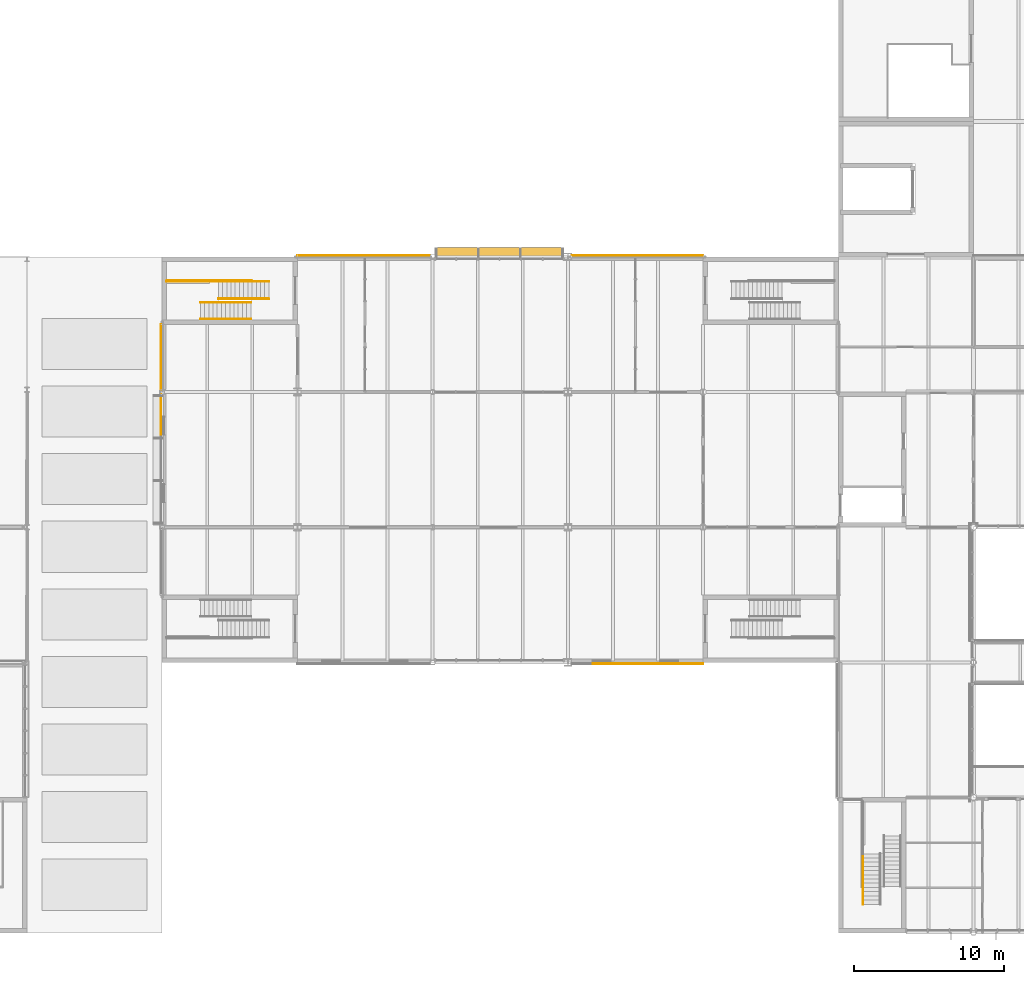
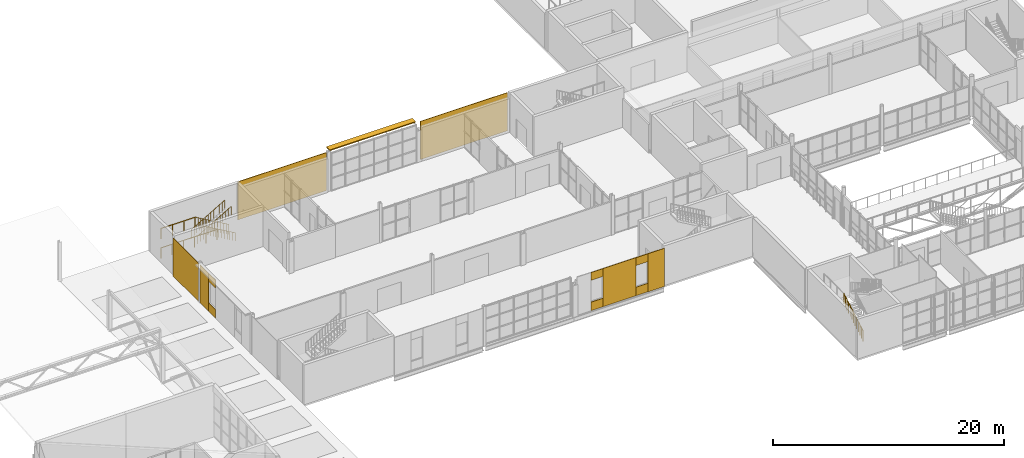
# One storey, part 55 of 61: 12 coverings, 7 railings, 1 shading device.
"""IFC4 building model written with IfcOpenShell, lengths in metres."""

from ifc_helpers import new_model, si_unit, direction, frame, frame_2d, origin, origin_2d, place, context, subcontext, project, spatial, rectangle, circle, extrude, material, layer, layer_set, type_object, element, save


model = new_model("IFC4")

# Units and contexts
model_context = context("Model", 3, precision=1e-05, world=origin(), true_north=direction((0.0, 1.0)))
body_context = subcontext(model_context, "Body", "Model", "MODEL_VIEW")
ifc_project = project(units=[si_unit("LENGTHUNIT", "METRE"), si_unit("AREAUNIT", "SQUARE_METRE"), si_unit("VOLUMEUNIT", "CUBIC_METRE"), si_unit("PLANEANGLEUNIT", "RADIAN"), si_unit("MASSUNIT", "GRAM", prefix="KILO")], contexts=[model_context])

# Site, building, storey
site_placement = place(None, origin())
site = spatial("IfcSite", under=ifc_project, at=site_placement, CompositionType="ELEMENT")
building_placement = place(site_placement, origin())
building = spatial("IfcBuilding", under=site, at=building_placement, Name="Halyard Row Museum", CompositionType="ELEMENT")
storey_placement = place(building_placement, frame((0.0, 0.0, 9.199951171875)))
storey = spatial("IfcBuildingStorey", under=building, at=storey_placement, Name="L02", CompositionType="ELEMENT", Elevation=9.199951171875)

# Railings
ifc_material_1 = material(Name="Steel Grade 300", Category="steel")
railing_type_1 = type_object("IfcRailingType", Name="Guard GR2 steel balustrade 1100", PredefinedType="GUARDRAIL", material=ifc_material_1)
railing_1_placement = place(storey_placement, frame((34.10009765625, 43.35009765625, 0.16162109375)))
element("IfcRailing", 1, at=railing_1_placement, inside=storey, type_object=railing_type_1, Name="Guard GR007", PredefinedType="GUARDRAIL", context=body_context, shape_type="SweptSolid", body=[
    extrude(circle(Radius=0.02392578125, at=origin_2d()), frame((0.0, 0.0, 1.076171875), z_axis=(-0.86609757561, 0.0, 0.499874973892), x_axis=(0.0, -1.0, 0.0)), (0.0, 0.0, 1.0), 0.3232421875),
    extrude(circle(Radius=0.02392578125, at=origin_2d()), frame((-0.280029296875, 0.0, 1.23779296875), z_axis=(-0.866424426198, 0.0, 0.49930823515), x_axis=(0.0, -1.0, 0.0)), (0.0, 0.0, 1.0), 0.3232421875),
    extrude(circle(Radius=0.02392578125, at=origin_2d()), frame((-0.56005859375, 0.0, 1.39892578125), z_axis=(-0.86609757561, 0.0, 0.499874973892), x_axis=(0.0, -1.0, 0.0)), (0.0, 0.0, 1.0), 0.3232421875),
    extrude(circle(Radius=0.02392578125, at=origin_2d()), frame((-0.840087890625, 0.0, 1.560546875), z_axis=(-0.86609757561, 0.0, 0.499874973892), x_axis=(0.0, -1.0, 0.0)), (0.0, 0.0, 1.0), 0.3232421875),
    extrude(circle(Radius=0.02392578125, at=origin_2d()), frame((-1.1201171875, 0.0, 1.72216796875), z_axis=(-0.866424426198, 0.0, 0.49930823515), x_axis=(0.0, -1.0, 0.0)), (0.0, 0.0, 1.0), 0.3232421875),
    extrude(circle(Radius=0.02392578125, at=origin_2d()), frame((-1.400146484375, 0.0, 1.8837890625), z_axis=(-0.86609757561, 0.0, 0.499874973892), x_axis=(0.0, -1.0, 0.0)), (0.0, 0.0, 1.0), 0.3232421875),
    extrude(circle(Radius=0.02392578125, at=origin_2d()), frame((-1.68017578125, 0.0, 2.04541015625), z_axis=(-0.866424426198, 0.0, 0.49930823515), x_axis=(0.0, -1.0, 0.0)), (0.0, 0.0, 1.0), 0.3232421875),
    extrude(circle(Radius=0.02392578125, at=origin_2d()), frame((-1.960205078125, 0.0, 2.20654296875), z_axis=(-0.865908710228, 0.0, 0.500202064721), x_axis=(0.0, -1.0, 0.0)), (0.0, 0.0, 1.0), 0.322998046875),
    extrude(circle(Radius=0.02392578125, at=origin_2d()), frame((-2.239990234375, 0.0, 2.3681640625), z_axis=(-0.86609757561, 0.0, 0.499874973892), x_axis=(0.0, -1.0, 0.0)), (0.0, 0.0, 1.0), 0.3232421875),
    extrude(circle(Radius=0.02392578125, at=origin_2d()), frame((-2.52001953125, 0.0, 2.52978515625), z_axis=(-0.866424426198, 0.0, 0.49930823515), x_axis=(0.0, -1.0, 0.0)), (0.0, 0.0, 1.0), 0.3232421875),
    extrude(circle(Radius=0.02392578125, at=origin_2d()), frame((-2.800048828125, 0.0, 2.69140625), z_axis=(-0.86609757561, 0.0, 0.499874973892), x_axis=(0.0, -1.0, 0.0)), (0.0, 0.0, 1.0), 0.3232421875),
    extrude(circle(Radius=0.02392578125, at=origin_2d()), frame((-3.080078125, 0.0, 2.85302734375), z_axis=(-0.86609757561, 0.0, 0.499874973892), x_axis=(0.0, -1.0, 0.0)), (0.0, 0.0, 1.0), 0.3232421875),
    extrude(circle(Radius=0.02099609375, at=origin_2d()), origin(), (0.0, 0.0, 1.0), 1.052001953125),
    extrude(circle(Radius=0.02099609375, at=origin_2d()), frame((-0.280029296875, 0.0, 0.16162109375)), (0.0, 0.0, 1.0), 1.052001953125),
    extrude(circle(Radius=0.02099609375, at=origin_2d()), frame((-0.56005859375, 0.0, 0.322998046875)), (0.0, 0.0, 1.0), 1.052001953125),
    extrude(circle(Radius=0.02099609375, at=origin_2d()), frame((-0.840087890625, 0.0, 0.484619140625)), (0.0, 0.0, 1.0), 1.052001953125),
    extrude(circle(Radius=0.02099609375, at=origin_2d()), frame((-1.1201171875, 0.0, 0.646240234375)), (0.0, 0.0, 1.0), 1.052001953125),
    extrude(circle(Radius=0.02099609375, at=origin_2d()), frame((-1.400146484375, 0.0, 0.8076171875)), (0.0, 0.0, 1.0), 1.052001953125),
    extrude(circle(Radius=0.02099609375, at=origin_2d()), frame((-1.68017578125, 0.0, 0.96923828125)), (0.0, 0.0, 1.0), 1.052001953125),
    extrude(circle(Radius=0.02099609375, at=origin_2d()), frame((-1.960205078125, 0.0, 1.130615234375)), (0.0, 0.0, 1.0), 1.052001953125),
    extrude(circle(Radius=0.02099609375, at=origin_2d()), frame((-2.239990234375, 0.0, 1.292236328125)), (0.0, 0.0, 1.0), 1.052001953125),
    extrude(circle(Radius=0.02099609375, at=origin_2d()), frame((-2.52001953125, 0.0, 1.453857421875)), (0.0, 0.0, 1.0), 1.052001953125),
    extrude(circle(Radius=0.02099609375, at=origin_2d()), frame((-2.800048828125, 0.0, 1.615234375)), (0.0, 0.0, 1.0), 1.052001953125),
    extrude(circle(Radius=0.02099609375, at=origin_2d()), frame((-3.080078125, 0.0, 1.77685546875)), (0.0, 0.0, 1.0), 1.052001953125),
    extrude(circle(Radius=0.02099609375, at=origin_2d()), frame((-3.360107421875, 0.0, 1.9384765625)), (0.0, 0.0, 1.0), 1.052001953125),
])
railing_2_placement = place(storey_placement, frame((30.739990234375, 43.35009765625, 2.10009765625)))
element("IfcRailing", 2, at=railing_2_placement, inside=storey, type_object=railing_type_1, Name="Guard GR008", PredefinedType="GUARDRAIL", context=body_context, shape_type="SweptSolid", body=[
    extrude(circle(Radius=0.02392578125, at=origin_2d()), frame((0.0, 0.0, 1.076171875), z_axis=(-1.0, 0.0, 0.0), x_axis=(0.0, -1.0, 0.0)), (0.0, 0.0, 1.0), 3.43994140625),
    extrude(circle(Radius=0.02099609375, at=origin_2d()), origin(), (0.0, 0.0, 1.0), 1.052001953125),
    extrude(circle(Radius=0.02099609375, at=origin_2d()), frame((-1.146728515625, 0.0, 0.0)), (0.0, 0.0, 1.0), 1.052001953125),
    extrude(circle(Radius=0.02099609375, at=origin_2d()), frame((-2.293212890625, 0.0, 0.0)), (0.0, 0.0, 1.0), 1.052001953125),
    extrude(circle(Radius=0.02099609375, at=origin_2d()), frame((-3.43994140625, 0.0, 0.0)), (0.0, 0.0, 1.0), 1.052001953125),
])
railing_3_placement = place(storey_placement, frame((73.64990234375, 1.89990234375, 0.16162109375)))
element("IfcRailing", 3, at=railing_3_placement, inside=storey, type_object=railing_type_1, Name="Guard GR043", PredefinedType="GUARDRAIL", context=body_context, shape_type="SweptSolid", body=[
    extrude(circle(Radius=0.02392578125, at=origin_2d()), frame((0.0, 0.0, 1.076171875), z_axis=(0.0, 0.86609757561, 0.499874973892), x_axis=(-1.0, 0.0, 0.0)), (0.0, 0.0, 1.0), 0.3232421875),
    extrude(circle(Radius=0.02392578125, at=origin_2d()), frame((0.0, 0.280029296875, 1.23779296875), z_axis=(0.0, 0.866424426198, 0.49930823515), x_axis=(-1.0, 0.0, 0.0)), (0.0, 0.0, 1.0), 0.3232421875),
    extrude(circle(Radius=0.02392578125, at=origin_2d()), frame((0.0, 0.56005859375, 1.39892578125), z_axis=(0.0, 0.86609757561, 0.499874973892), x_axis=(-1.0, 0.0, 0.0)), (0.0, 0.0, 1.0), 0.3232421875),
    extrude(circle(Radius=0.02392578125, at=origin_2d()), frame((0.0, 0.840087890625, 1.560546875), z_axis=(0.0, 0.86609757561, 0.499874973892), x_axis=(-1.0, 0.0, 0.0)), (0.0, 0.0, 1.0), 0.3232421875),
    extrude(circle(Radius=0.02392578125, at=origin_2d()), frame((0.0, 1.1201171875, 1.72216796875), z_axis=(0.0, 0.866424426198, 0.49930823515), x_axis=(-1.0, 0.0, 0.0)), (0.0, 0.0, 1.0), 0.3232421875),
    extrude(circle(Radius=0.02392578125, at=origin_2d()), frame((0.0, 1.400146484375, 1.8837890625), z_axis=(0.0, 0.86609757561, 0.499874973892), x_axis=(-1.0, 0.0, 0.0)), (0.0, 0.0, 1.0), 0.3232421875),
    extrude(circle(Radius=0.02392578125, at=origin_2d()), frame((0.0, 1.68017578125, 2.04541015625), z_axis=(0.0, 0.866424426198, 0.49930823515), x_axis=(-1.0, 0.0, 0.0)), (0.0, 0.0, 1.0), 0.3232421875),
    extrude(circle(Radius=0.02392578125, at=origin_2d()), frame((0.0, 1.960205078125, 2.20654296875), z_axis=(0.0, 0.865908710228, 0.500202064721), x_axis=(-1.0, 0.0, 0.0)), (0.0, 0.0, 1.0), 0.322998046875),
    extrude(circle(Radius=0.02392578125, at=origin_2d()), frame((0.0, 2.239990234375, 2.3681640625), z_axis=(0.0, 0.86609757561, 0.499874973892), x_axis=(-1.0, 0.0, 0.0)), (0.0, 0.0, 1.0), 0.3232421875),
    extrude(circle(Radius=0.02392578125, at=origin_2d()), frame((0.0, 2.52001953125, 2.52978515625), z_axis=(0.0, 0.866424426198, 0.49930823515), x_axis=(-1.0, 0.0, 0.0)), (0.0, 0.0, 1.0), 0.3232421875),
    extrude(circle(Radius=0.02392578125, at=origin_2d()), frame((0.0, 2.800048828125, 2.69140625), z_axis=(0.0, 0.86609757561, 0.499874973892), x_axis=(-1.0, 0.0, 0.0)), (0.0, 0.0, 1.0), 0.3232421875),
    extrude(circle(Radius=0.02392578125, at=origin_2d()), frame((0.0, 3.080078125, 2.85302734375), z_axis=(0.0, 0.86609757561, 0.499874973892), x_axis=(-1.0, 0.0, 0.0)), (0.0, 0.0, 1.0), 0.3232421875),
    extrude(circle(Radius=0.02099609375, at=origin_2d()), origin(), (0.0, 0.0, 1.0), 1.052001953125),
    extrude(circle(Radius=0.02099609375, at=origin_2d()), frame((0.0, 0.280029296875, 0.16162109375)), (0.0, 0.0, 1.0), 1.052001953125),
    extrude(circle(Radius=0.02099609375, at=origin_2d()), frame((0.0, 0.56005859375, 0.322998046875)), (0.0, 0.0, 1.0), 1.052001953125),
    extrude(circle(Radius=0.02099609375, at=origin_2d()), frame((0.0, 0.840087890625, 0.484619140625)), (0.0, 0.0, 1.0), 1.052001953125),
    extrude(circle(Radius=0.02099609375, at=origin_2d()), frame((0.0, 1.1201171875, 0.646240234375)), (0.0, 0.0, 1.0), 1.052001953125),
    extrude(circle(Radius=0.02099609375, at=origin_2d()), frame((0.0, 1.400146484375, 0.8076171875)), (0.0, 0.0, 1.0), 1.052001953125),
    extrude(circle(Radius=0.02099609375, at=origin_2d()), frame((0.0, 1.68017578125, 0.96923828125)), (0.0, 0.0, 1.0), 1.052001953125),
    extrude(circle(Radius=0.02099609375, at=origin_2d()), frame((0.0, 1.960205078125, 1.130615234375)), (0.0, 0.0, 1.0), 1.052001953125),
    extrude(circle(Radius=0.02099609375, at=origin_2d()), frame((0.0, 2.239990234375, 1.292236328125)), (0.0, 0.0, 1.0), 1.052001953125),
    extrude(circle(Radius=0.02099609375, at=origin_2d()), frame((0.0, 2.52001953125, 1.453857421875)), (0.0, 0.0, 1.0), 1.052001953125),
    extrude(circle(Radius=0.02099609375, at=origin_2d()), frame((0.0, 2.800048828125, 1.615234375)), (0.0, 0.0, 1.0), 1.052001953125),
    extrude(circle(Radius=0.02099609375, at=origin_2d()), frame((0.0, 3.080078125, 1.77685546875)), (0.0, 0.0, 1.0), 1.052001953125),
    extrude(circle(Radius=0.02099609375, at=origin_2d()), frame((0.0, 3.360107421875, 1.9384765625)), (0.0, 0.0, 1.0), 1.052001953125),
])
railing_4_placement = place(storey_placement, frame((27.330078125, 43.409912109375, 0.0)))
element("IfcRailing", 4, at=railing_4_placement, inside=storey, type_object=railing_type_1, Name="Guard GR139", PredefinedType="GUARDRAIL", context=body_context, shape_type="SweptSolid", body=[
    extrude(circle(Radius=0.02392578125, at=origin_2d()), frame((0.0, 0.0, 1.076171875), z_axis=(1.0, 0.0, 0.0), x_axis=(0.0, 1.0, 0.0)), (0.0, 0.0, 1.0), 5.6298828125),
    extrude(circle(Radius=0.02099609375, at=origin_2d()), origin(), (0.0, 0.0, 1.0), 1.052001953125),
    extrude(circle(Radius=0.02099609375, at=origin_2d()), frame((1.1259765625, 0.0, 0.0)), (0.0, 0.0, 1.0), 1.052001953125),
    extrude(circle(Radius=0.02099609375, at=origin_2d()), frame((2.251953125, 0.0, 0.0)), (0.0, 0.0, 1.0), 1.052001953125),
    extrude(circle(Radius=0.02099609375, at=origin_2d()), frame((3.3779296875, 0.0, 0.0)), (0.0, 0.0, 1.0), 1.052001953125),
    extrude(circle(Radius=0.02099609375, at=origin_2d()), frame((4.50390625, 0.0, 0.0)), (0.0, 0.0, 1.0), 1.052001953125),
    extrude(circle(Radius=0.02099609375, at=origin_2d()), frame((5.6298828125, 0.0, 0.0)), (0.0, 0.0, 1.0), 1.052001953125),
])
ifc_material_2 = material(Name="Steel Grade 300", Category="steel")
railing_type_2 = type_object("IfcRailingType", Name="Handrail HR2 steel 900", PredefinedType="HANDRAIL", material=ifc_material_2)
railing_5_placement = place(storey_placement, frame((34.10009765625, 42.199951171875, 0.16162109375)))
element("IfcRailing", 5, at=railing_5_placement, inside=storey, type_object=railing_type_2, Name="Handrail HR010", PredefinedType="HANDRAIL", context=body_context, shape_type="SweptSolid", body=[
    extrude(circle(Radius=0.02392578125, at=origin_2d()), frame((0.0, 0.0, 0.8759765625), z_axis=(-0.86609757561, 0.0, 0.499874973892), x_axis=(0.0, -1.0, 0.0)), (0.0, 0.0, 1.0), 0.3232421875),
    extrude(circle(Radius=0.02392578125, at=origin_2d()), frame((-0.280029296875, 0.0, 1.03759765625), z_axis=(-0.866424426198, 0.0, 0.49930823515), x_axis=(0.0, -1.0, 0.0)), (0.0, 0.0, 1.0), 0.3232421875),
    extrude(circle(Radius=0.02392578125, at=origin_2d()), frame((-0.56005859375, 0.0, 1.19873046875), z_axis=(-0.86609757561, 0.0, 0.499874973892), x_axis=(0.0, -1.0, 0.0)), (0.0, 0.0, 1.0), 0.3232421875),
    extrude(circle(Radius=0.02392578125, at=origin_2d()), frame((-0.840087890625, 0.0, 1.3603515625), z_axis=(-0.86609757561, 0.0, 0.499874973892), x_axis=(0.0, -1.0, 0.0)), (0.0, 0.0, 1.0), 0.3232421875),
    extrude(circle(Radius=0.02392578125, at=origin_2d()), frame((-1.1201171875, 0.0, 1.52197265625), z_axis=(-0.866424426198, 0.0, 0.49930823515), x_axis=(0.0, -1.0, 0.0)), (0.0, 0.0, 1.0), 0.3232421875),
    extrude(circle(Radius=0.02392578125, at=origin_2d()), frame((-1.400146484375, 0.0, 1.68359375), z_axis=(-0.86609757561, 0.0, 0.499874973892), x_axis=(0.0, -1.0, 0.0)), (0.0, 0.0, 1.0), 0.3232421875),
    extrude(circle(Radius=0.02392578125, at=origin_2d()), frame((-1.68017578125, 0.0, 1.84521484375), z_axis=(-0.866424426198, 0.0, 0.49930823515), x_axis=(0.0, -1.0, 0.0)), (0.0, 0.0, 1.0), 0.3232421875),
    extrude(circle(Radius=0.02392578125, at=origin_2d()), frame((-1.960205078125, 0.0, 2.00634765625), z_axis=(-0.865908710228, 0.0, 0.500202064721), x_axis=(0.0, -1.0, 0.0)), (0.0, 0.0, 1.0), 0.322998046875),
    extrude(circle(Radius=0.02392578125, at=origin_2d()), frame((-2.239990234375, 0.0, 2.16796875), z_axis=(-0.86609757561, 0.0, 0.499874973892), x_axis=(0.0, -1.0, 0.0)), (0.0, 0.0, 1.0), 0.3232421875),
    extrude(circle(Radius=0.02392578125, at=origin_2d()), frame((-2.52001953125, 0.0, 2.32958984375), z_axis=(-0.866424426198, 0.0, 0.49930823515), x_axis=(0.0, -1.0, 0.0)), (0.0, 0.0, 1.0), 0.3232421875),
    extrude(circle(Radius=0.02392578125, at=origin_2d()), frame((-2.800048828125, 0.0, 2.4912109375), z_axis=(-0.86609757561, 0.0, 0.499874973892), x_axis=(0.0, -1.0, 0.0)), (0.0, 0.0, 1.0), 0.3232421875),
    extrude(circle(Radius=0.02392578125, at=origin_2d()), frame((-3.080078125, 0.0, 2.65283203125), z_axis=(-0.86609757561, 0.0, 0.499874973892), x_axis=(0.0, -1.0, 0.0)), (0.0, 0.0, 1.0), 0.3232421875),
    extrude(circle(Radius=0.02099609375, at=origin_2d()), origin(), (0.0, 0.0, 1.0), 0.851806640625),
    extrude(circle(Radius=0.02099609375, at=origin_2d()), frame((-0.280029296875, 0.0, 0.16162109375)), (0.0, 0.0, 1.0), 0.851806640625),
    extrude(circle(Radius=0.02099609375, at=origin_2d()), frame((-0.56005859375, 0.0, 0.322998046875)), (0.0, 0.0, 1.0), 0.851806640625),
    extrude(circle(Radius=0.02099609375, at=origin_2d()), frame((-0.840087890625, 0.0, 0.484619140625)), (0.0, 0.0, 1.0), 0.851806640625),
    extrude(circle(Radius=0.02099609375, at=origin_2d()), frame((-1.1201171875, 0.0, 0.646240234375)), (0.0, 0.0, 1.0), 0.851806640625),
    extrude(circle(Radius=0.02099609375, at=origin_2d()), frame((-1.400146484375, 0.0, 0.8076171875)), (0.0, 0.0, 1.0), 0.851806640625),
    extrude(circle(Radius=0.02099609375, at=origin_2d()), frame((-1.68017578125, 0.0, 0.96923828125)), (0.0, 0.0, 1.0), 0.851806640625),
    extrude(circle(Radius=0.02099609375, at=origin_2d()), frame((-1.960205078125, 0.0, 1.130615234375)), (0.0, 0.0, 1.0), 0.851806640625),
    extrude(circle(Radius=0.02099609375, at=origin_2d()), frame((-2.239990234375, 0.0, 1.292236328125)), (0.0, 0.0, 1.0), 0.851806640625),
    extrude(circle(Radius=0.02099609375, at=origin_2d()), frame((-2.52001953125, 0.0, 1.453857421875)), (0.0, 0.0, 1.0), 0.851806640625),
    extrude(circle(Radius=0.02099609375, at=origin_2d()), frame((-2.800048828125, 0.0, 1.615234375)), (0.0, 0.0, 1.0), 0.851806640625),
    extrude(circle(Radius=0.02099609375, at=origin_2d()), frame((-3.080078125, 0.0, 1.77685546875)), (0.0, 0.0, 1.0), 0.851806640625),
    extrude(circle(Radius=0.02099609375, at=origin_2d()), frame((-3.360107421875, 0.0, 1.9384765625)), (0.0, 0.0, 1.0), 0.851806640625),
])
railing_6_placement = place(storey_placement, frame((29.5400390625, 40.85009765625, 2.261474609375)))
element("IfcRailing", 6, at=railing_6_placement, inside=storey, type_object=railing_type_2, Name="Handrail HR011", PredefinedType="HANDRAIL", context=body_context, shape_type="SweptSolid", body=[
    extrude(circle(Radius=0.02392578125, at=origin_2d()), frame((0.0, 0.0, 0.8759765625), z_axis=(0.86609757561, 0.0, 0.499874973892), x_axis=(0.0, 1.0, 0.0)), (0.0, 0.0, 1.0), 0.3232421875),
    extrude(circle(Radius=0.02392578125, at=origin_2d()), frame((0.280029296875, 0.0, 1.03759765625), z_axis=(0.86609757561, 0.0, 0.499874973892), x_axis=(0.0, 1.0, 0.0)), (0.0, 0.0, 1.0), 0.3232421875),
    extrude(circle(Radius=0.02392578125, at=origin_2d()), frame((0.56005859375, 0.0, 1.19921875), z_axis=(0.866235917577, 0.0, 0.499635202023), x_axis=(0.0, 1.0, 0.0)), (0.0, 0.0, 1.0), 0.322998046875),
    extrude(circle(Radius=0.02392578125, at=origin_2d()), frame((0.83984375, 0.0, 1.3603515625), z_axis=(0.86609757561, 0.0, 0.499874973892), x_axis=(0.0, 1.0, 0.0)), (0.0, 0.0, 1.0), 0.3232421875),
    extrude(circle(Radius=0.02392578125, at=origin_2d()), frame((1.119873046875, 0.0, 1.52197265625), z_axis=(0.86609757561, 0.0, 0.499874973892), x_axis=(0.0, 1.0, 0.0)), (0.0, 0.0, 1.0), 0.3232421875),
    extrude(circle(Radius=0.02392578125, at=origin_2d()), frame((1.39990234375, 0.0, 1.68359375), z_axis=(0.866424426198, 0.0, 0.49930823515), x_axis=(0.0, 1.0, 0.0)), (0.0, 0.0, 1.0), 0.3232421875),
    extrude(circle(Radius=0.02392578125, at=origin_2d()), frame((1.679931640625, 0.0, 1.84521484375), z_axis=(0.86609757561, 0.0, 0.499874973892), x_axis=(0.0, 1.0, 0.0)), (0.0, 0.0, 1.0), 0.3232421875),
    extrude(circle(Radius=0.02392578125, at=origin_2d()), frame((1.9599609375, 0.0, 2.0068359375), z_axis=(0.86609757561, 0.0, 0.499874973892), x_axis=(0.0, 1.0, 0.0)), (0.0, 0.0, 1.0), 0.3232421875),
    extrude(circle(Radius=0.02392578125, at=origin_2d()), frame((2.239990234375, 0.0, 2.16845703125), z_axis=(0.866424426198, 0.0, 0.49930823515), x_axis=(0.0, 1.0, 0.0)), (0.0, 0.0, 1.0), 0.3232421875),
    extrude(circle(Radius=0.02392578125, at=origin_2d()), frame((2.52001953125, 0.0, 2.32958984375), z_axis=(0.86609757561, 0.0, 0.499874973892), x_axis=(0.0, 1.0, 0.0)), (0.0, 0.0, 1.0), 0.3232421875),
    extrude(circle(Radius=0.02392578125, at=origin_2d()), frame((2.800048828125, 0.0, 2.4912109375), z_axis=(0.86609757561, 0.0, 0.499874973892), x_axis=(0.0, 1.0, 0.0)), (0.0, 0.0, 1.0), 0.3232421875),
    extrude(circle(Radius=0.02392578125, at=origin_2d()), frame((3.080078125, 0.0, 2.65283203125), z_axis=(0.866235917577, 0.0, 0.499635202023), x_axis=(0.0, 1.0, 0.0)), (0.0, 0.0, 1.0), 0.322998046875),
    extrude(circle(Radius=0.02099609375, at=origin_2d()), origin(), (0.0, 0.0, 1.0), 0.851806640625),
    extrude(circle(Radius=0.02099609375, at=origin_2d()), frame((0.280029296875, 0.0, 0.16162109375)), (0.0, 0.0, 1.0), 0.851806640625),
    extrude(circle(Radius=0.02099609375, at=origin_2d()), frame((0.56005859375, 0.0, 0.3232421875)), (0.0, 0.0, 1.0), 0.851806640625),
    extrude(circle(Radius=0.02099609375, at=origin_2d()), frame((0.83984375, 0.0, 0.484619140625)), (0.0, 0.0, 1.0), 0.851806640625),
    extrude(circle(Radius=0.02099609375, at=origin_2d()), frame((1.119873046875, 0.0, 0.646240234375)), (0.0, 0.0, 1.0), 0.851806640625),
    extrude(circle(Radius=0.02099609375, at=origin_2d()), frame((1.39990234375, 0.0, 0.807861328125)), (0.0, 0.0, 1.0), 0.851806640625),
    extrude(circle(Radius=0.02099609375, at=origin_2d()), frame((1.679931640625, 0.0, 0.96923828125)), (0.0, 0.0, 1.0), 0.851806640625),
    extrude(circle(Radius=0.02099609375, at=origin_2d()), frame((1.9599609375, 0.0, 1.130859375)), (0.0, 0.0, 1.0), 0.851806640625),
    extrude(circle(Radius=0.02099609375, at=origin_2d()), frame((2.239990234375, 0.0, 1.29248046875)), (0.0, 0.0, 1.0), 0.851806640625),
    extrude(circle(Radius=0.02099609375, at=origin_2d()), frame((2.52001953125, 0.0, 1.453857421875)), (0.0, 0.0, 1.0), 0.851806640625),
    extrude(circle(Radius=0.02099609375, at=origin_2d()), frame((2.800048828125, 0.0, 1.615478515625)), (0.0, 0.0, 1.0), 0.851806640625),
    extrude(circle(Radius=0.02099609375, at=origin_2d()), frame((3.080078125, 0.0, 1.777099609375)), (0.0, 0.0, 1.0), 0.851806640625),
    extrude(circle(Radius=0.02099609375, at=origin_2d()), frame((3.35986328125, 0.0, 1.9384765625)), (0.0, 0.0, 1.0), 0.851806640625),
])
railing_7_placement = place(storey_placement, frame((29.5400390625, 41.949951171875, 2.261474609375)))
element("IfcRailing", 7, at=railing_7_placement, inside=storey, type_object=railing_type_2, Name="Handrail HR012", PredefinedType="HANDRAIL", context=body_context, shape_type="SweptSolid", body=[
    extrude(circle(Radius=0.02392578125, at=origin_2d()), frame((0.0, 0.0, 0.8759765625), z_axis=(0.86609757561, 0.0, 0.499874973892), x_axis=(0.0, 1.0, 0.0)), (0.0, 0.0, 1.0), 0.3232421875),
    extrude(circle(Radius=0.02392578125, at=origin_2d()), frame((0.280029296875, 0.0, 1.03759765625), z_axis=(0.86609757561, 0.0, 0.499874973892), x_axis=(0.0, 1.0, 0.0)), (0.0, 0.0, 1.0), 0.3232421875),
    extrude(circle(Radius=0.02392578125, at=origin_2d()), frame((0.56005859375, 0.0, 1.19921875), z_axis=(0.866235917577, 0.0, 0.499635202023), x_axis=(0.0, 1.0, 0.0)), (0.0, 0.0, 1.0), 0.322998046875),
    extrude(circle(Radius=0.02392578125, at=origin_2d()), frame((0.83984375, 0.0, 1.3603515625), z_axis=(0.86609757561, 0.0, 0.499874973892), x_axis=(0.0, 1.0, 0.0)), (0.0, 0.0, 1.0), 0.3232421875),
    extrude(circle(Radius=0.02392578125, at=origin_2d()), frame((1.119873046875, 0.0, 1.52197265625), z_axis=(0.86609757561, 0.0, 0.499874973892), x_axis=(0.0, 1.0, 0.0)), (0.0, 0.0, 1.0), 0.3232421875),
    extrude(circle(Radius=0.02392578125, at=origin_2d()), frame((1.39990234375, 0.0, 1.68359375), z_axis=(0.866424426198, 0.0, 0.49930823515), x_axis=(0.0, 1.0, 0.0)), (0.0, 0.0, 1.0), 0.3232421875),
    extrude(circle(Radius=0.02392578125, at=origin_2d()), frame((1.679931640625, 0.0, 1.84521484375), z_axis=(0.86609757561, 0.0, 0.499874973892), x_axis=(0.0, 1.0, 0.0)), (0.0, 0.0, 1.0), 0.3232421875),
    extrude(circle(Radius=0.02392578125, at=origin_2d()), frame((1.9599609375, 0.0, 2.0068359375), z_axis=(0.86609757561, 0.0, 0.499874973892), x_axis=(0.0, 1.0, 0.0)), (0.0, 0.0, 1.0), 0.3232421875),
    extrude(circle(Radius=0.02392578125, at=origin_2d()), frame((2.239990234375, 0.0, 2.16845703125), z_axis=(0.866424426198, 0.0, 0.49930823515), x_axis=(0.0, 1.0, 0.0)), (0.0, 0.0, 1.0), 0.3232421875),
    extrude(circle(Radius=0.02392578125, at=origin_2d()), frame((2.52001953125, 0.0, 2.32958984375), z_axis=(0.86609757561, 0.0, 0.499874973892), x_axis=(0.0, 1.0, 0.0)), (0.0, 0.0, 1.0), 0.3232421875),
    extrude(circle(Radius=0.02392578125, at=origin_2d()), frame((2.800048828125, 0.0, 2.4912109375), z_axis=(0.86609757561, 0.0, 0.499874973892), x_axis=(0.0, 1.0, 0.0)), (0.0, 0.0, 1.0), 0.3232421875),
    extrude(circle(Radius=0.02392578125, at=origin_2d()), frame((3.080078125, 0.0, 2.65283203125), z_axis=(0.866235917577, 0.0, 0.499635202023), x_axis=(0.0, 1.0, 0.0)), (0.0, 0.0, 1.0), 0.322998046875),
    extrude(circle(Radius=0.02099609375, at=origin_2d()), origin(), (0.0, 0.0, 1.0), 0.851806640625),
    extrude(circle(Radius=0.02099609375, at=origin_2d()), frame((0.280029296875, 0.0, 0.16162109375)), (0.0, 0.0, 1.0), 0.851806640625),
    extrude(circle(Radius=0.02099609375, at=origin_2d()), frame((0.56005859375, 0.0, 0.3232421875)), (0.0, 0.0, 1.0), 0.851806640625),
    extrude(circle(Radius=0.02099609375, at=origin_2d()), frame((0.83984375, 0.0, 0.484619140625)), (0.0, 0.0, 1.0), 0.851806640625),
    extrude(circle(Radius=0.02099609375, at=origin_2d()), frame((1.119873046875, 0.0, 0.646240234375)), (0.0, 0.0, 1.0), 0.851806640625),
    extrude(circle(Radius=0.02099609375, at=origin_2d()), frame((1.39990234375, 0.0, 0.807861328125)), (0.0, 0.0, 1.0), 0.851806640625),
    extrude(circle(Radius=0.02099609375, at=origin_2d()), frame((1.679931640625, 0.0, 0.96923828125)), (0.0, 0.0, 1.0), 0.851806640625),
    extrude(circle(Radius=0.02099609375, at=origin_2d()), frame((1.9599609375, 0.0, 1.130859375)), (0.0, 0.0, 1.0), 0.851806640625),
    extrude(circle(Radius=0.02099609375, at=origin_2d()), frame((2.239990234375, 0.0, 1.29248046875)), (0.0, 0.0, 1.0), 0.851806640625),
    extrude(circle(Radius=0.02099609375, at=origin_2d()), frame((2.52001953125, 0.0, 1.453857421875)), (0.0, 0.0, 1.0), 0.851806640625),
    extrude(circle(Radius=0.02099609375, at=origin_2d()), frame((2.800048828125, 0.0, 1.615478515625)), (0.0, 0.0, 1.0), 0.851806640625),
    extrude(circle(Radius=0.02099609375, at=origin_2d()), frame((3.080078125, 0.0, 1.777099609375)), (0.0, 0.0, 1.0), 0.851806640625),
    extrude(circle(Radius=0.02099609375, at=origin_2d()), frame((3.35986328125, 0.0, 1.9384765625)), (0.0, 0.0, 1.0), 0.851806640625),
])

# Coverings
ifc_material_3 = material(Name="Fire-retardant Type A timber battens", Category="wood")
ifc_layer_1 = layer(ifc_material_3, 0.050048828125)
ifc_layer_set_1 = layer_set([ifc_layer_1], Name="Fire-retardant Type A timber battens")
covering_type = type_object("IfcCoveringType", Name="Timber batten cladding 50", PredefinedType="CLADDING", material=ifc_layer_set_1)
covering_1_placement = place(storey_placement, frame((63.0, 45.0849609375, 0.0), z_axis=(0.0, 0.0, 1.0), x_axis=(-1.0, 0.0, 0.0)))
element("IfcCovering", 8, at=covering_1_placement, inside=storey, type_object=covering_type, Name="Cladding CLL02-005", PredefinedType="CLADDING", context=body_context, shape_type="SweptSolid", body=[
    extrude(rectangle(XDim=8.75, YDim=0.050048828125, at=frame_2d((4.375, 0.0))), origin(), (0.0, 0.0, 1.0), 4.03515625),
])
covering_2_placement = place(storey_placement, frame((44.85009765625, 45.0849609375, 0.0), z_axis=(0.0, 0.0, 1.0), x_axis=(-1.0, 0.0, 0.0)))
element("IfcCovering", 9, at=covering_2_placement, inside=storey, type_object=covering_type, Name="Cladding CLL02-006", PredefinedType="CLADDING", context=body_context, shape_type="SweptSolid", body=[
    extrude(rectangle(XDim=8.85009765625, YDim=0.050048828125, at=frame_2d((4.425048828125, 0.0))), origin(), (0.0, 0.0, 1.0), 4.03515625),
])
covering_3_placement = place(storey_placement, frame((26.9150390625, 40.5, 0.0), z_axis=(0.0, 0.0, 1.0), x_axis=(0.0, -1.0, 0.0)))
element("IfcCovering", 10, at=covering_3_placement, inside=storey, type_object=covering_type, Name="Cladding CLL02-007", PredefinedType="CLADDING", context=body_context, shape_type="SweptSolid", body=[
    extrude(rectangle(XDim=4.35009765625, YDim=0.050048828125, at=frame_2d((2.175048828125, 0.0))), origin(), (0.0, 0.0, 1.0), 4.03515625),
])
covering_4_placement = place(storey_placement, frame((26.9150390625, 35.85009765625, 0.0), z_axis=(0.0, 0.0, 1.0), x_axis=(0.0, -1.0, 0.0)))
element("IfcCovering", 11, at=covering_4_placement, inside=storey, type_object=covering_type, Name="Cladding CLL02-008", PredefinedType="CLADDING", context=body_context, shape_type="SweptSolid", body=[
    extrude(rectangle(XDim=1.5, YDim=0.050048828125, at=frame_2d((0.75, 0.0))), origin(), (0.0, 0.0, 1.0), 4.03515625),
])
covering_5_placement = place(storey_placement, frame((26.9150390625, 34.35009765625, 0.0), z_axis=(0.0, 0.0, 1.0), x_axis=(0.0, -1.0, 0.0)))
element("IfcCovering", 12, at=covering_5_placement, inside=storey, type_object=covering_type, Name="Cladding CLL02-011", PredefinedType="CLADDING", context=body_context, shape_type="SweptSolid", body=[
    extrude(rectangle(XDim=1.2001953125, YDim=0.050048828125, at=frame_2d((0.60009765625, 0.0))), origin(), (0.0, 0.0, 1.0), 0.900146484375),
])
covering_6_placement = place(storey_placement, frame((26.9150390625, 34.35009765625, 3.199951171875), z_axis=(0.0, 0.0, 1.0), x_axis=(0.0, -1.0, 0.0)))
element("IfcCovering", 13, at=covering_6_placement, inside=storey, type_object=covering_type, Name="Cladding CLL02-012", PredefinedType="CLADDING", context=body_context, shape_type="SweptSolid", body=[
    extrude(rectangle(XDim=1.2001953125, YDim=0.050048828125, at=frame_2d((0.60009765625, 0.0))), origin(), (0.0, 0.0, 1.0), 0.835205078125),
])
covering_7_placement = place(storey_placement, frame((56.85009765625, 17.9150390625, 0.0), z_axis=(0.0, 0.0, 1.0), x_axis=(1.0, 0.0, 0.0)))
element("IfcCovering", 14, at=covering_7_placement, inside=storey, type_object=covering_type, Name="Cladding CLL02-024", PredefinedType="CLADDING", context=body_context, shape_type="SweptSolid", body=[
    extrude(rectangle(XDim=3.2998046875, YDim=0.050048828125, at=frame_2d((1.64990234375, 0.0))), origin(), (0.0, 0.0, 1.0), 4.03515625),
])
covering_8_placement = place(storey_placement, frame((61.35009765625, 17.9150390625, 0.0), z_axis=(0.0, 0.0, 1.0), x_axis=(1.0, 0.0, 0.0)))
element("IfcCovering", 15, at=covering_8_placement, inside=storey, type_object=covering_type, Name="Cladding CLL02-025", PredefinedType="CLADDING", context=body_context, shape_type="SweptSolid", body=[
    extrude(rectangle(XDim=1.64990234375, YDim=0.050048828125, at=frame_2d((0.824951171875, 0.0))), origin(), (0.0, 0.0, 1.0), 4.03515625),
])
covering_9_placement = place(storey_placement, frame((55.64990234375, 17.9150390625, 0.0), z_axis=(0.0, 0.0, 1.0), x_axis=(1.0, 0.0, 0.0)))
element("IfcCovering", 16, at=covering_9_placement, inside=storey, type_object=covering_type, Name="Cladding CLL02-026", PredefinedType="CLADDING", context=body_context, shape_type="SweptSolid", body=[
    extrude(rectangle(XDim=1.2001953125, YDim=0.050048828125, at=frame_2d((0.60009765625, 0.0))), origin(), (0.0, 0.0, 1.0), 0.900146484375),
])
covering_10_placement = place(storey_placement, frame((55.64990234375, 17.9150390625, 3.199951171875), z_axis=(0.0, 0.0, 1.0), x_axis=(1.0, 0.0, 0.0)))
element("IfcCovering", 17, at=covering_10_placement, inside=storey, type_object=covering_type, Name="Cladding CLL02-027", PredefinedType="CLADDING", context=body_context, shape_type="SweptSolid", body=[
    extrude(rectangle(XDim=1.2001953125, YDim=0.050048828125, at=frame_2d((0.60009765625, 0.0))), origin(), (0.0, 0.0, 1.0), 0.835205078125),
])
covering_11_placement = place(storey_placement, frame((60.14990234375, 17.9150390625, 0.0), z_axis=(0.0, 0.0, 1.0), x_axis=(1.0, 0.0, 0.0)))
element("IfcCovering", 18, at=covering_11_placement, inside=storey, type_object=covering_type, Name="Cladding CLL02-028", PredefinedType="CLADDING", context=body_context, shape_type="SweptSolid", body=[
    extrude(rectangle(XDim=1.2001953125, YDim=0.050048828125, at=frame_2d((0.60009765625, 0.0))), origin(), (0.0, 0.0, 1.0), 0.900146484375),
])
covering_12_placement = place(storey_placement, frame((60.14990234375, 17.9150390625, 3.199951171875), z_axis=(0.0, 0.0, 1.0), x_axis=(1.0, 0.0, 0.0)))
element("IfcCovering", 19, at=covering_12_placement, inside=storey, type_object=covering_type, Name="Cladding CLL02-029", PredefinedType="CLADDING", context=body_context, shape_type="SweptSolid", body=[
    extrude(rectangle(XDim=1.2001953125, YDim=0.050048828125, at=frame_2d((0.60009765625, 0.0))), origin(), (0.0, 0.0, 1.0), 0.835205078125),
])

# Shading device
ifc_material_4 = material(Name="Glue-laminated timber GL12, oiled", Category="wood")
ifc_layer_2 = layer(ifc_material_4, 0.10009765625)
ifc_layer_set_2 = layer_set([ifc_layer_2], Name="Glue-laminated timber GL12, oiled")
shading_device_type = type_object("IfcShadingDeviceType", Name="Timber louvre blade 100 x 600", PredefinedType="USERDEFINED", material=ifc_layer_set_2)
shading_device_placement = place(storey_placement, frame((49.449951171875, 45.300048828125, 4.135009765625), z_axis=(0.0, 0.0, 1.0), x_axis=(1.0, 0.0, 0.0)))
element("IfcShadingDevice", 20, at=shading_device_placement, inside=storey, type_object=shading_device_type, Name="Timber louvre", ObjectType="LOUVRE", PredefinedType="USERDEFINED", context=body_context, shape_type="SweptSolid", body=[
    extrude(rectangle(XDim=8.60009765625, YDim=0.60009765625, at=origin_2d()), origin(), (0.0, 0.0, 1.0), 0.10009765625),
])

save(model, "model.ifc")
